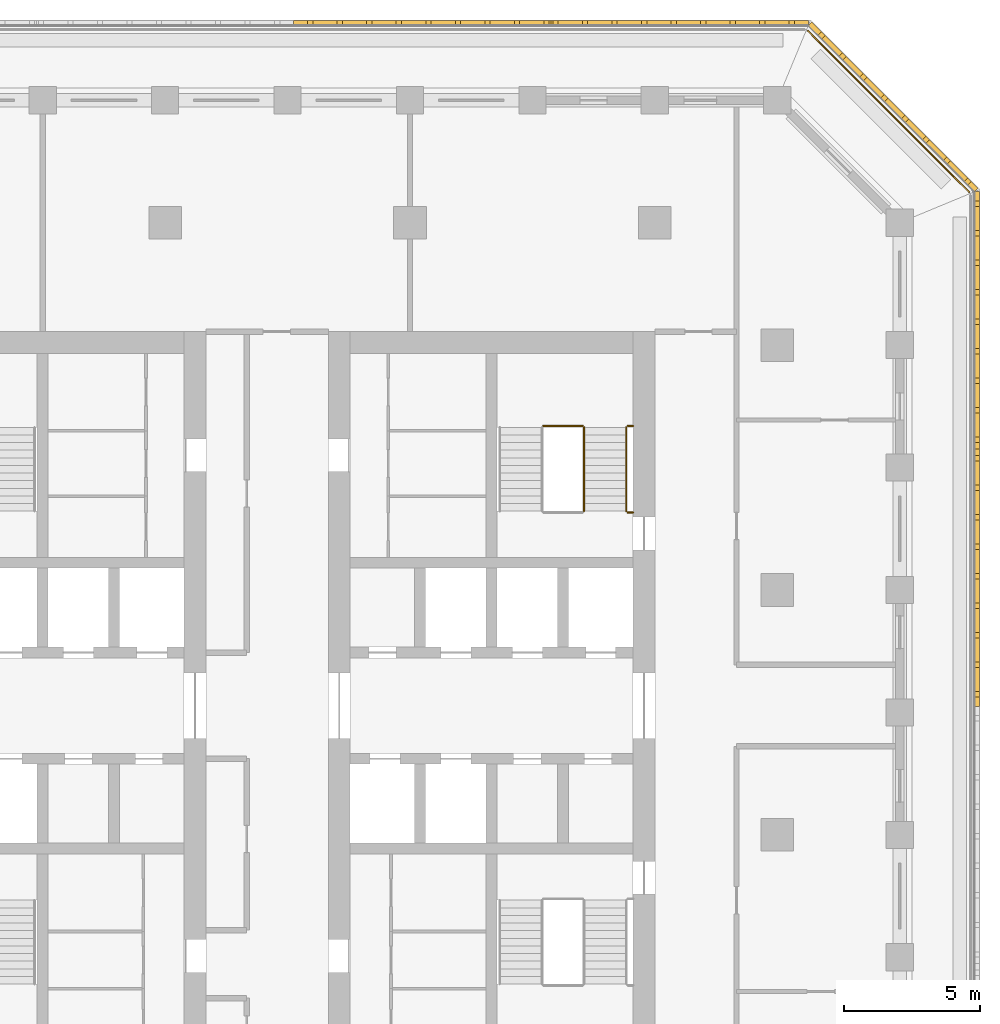
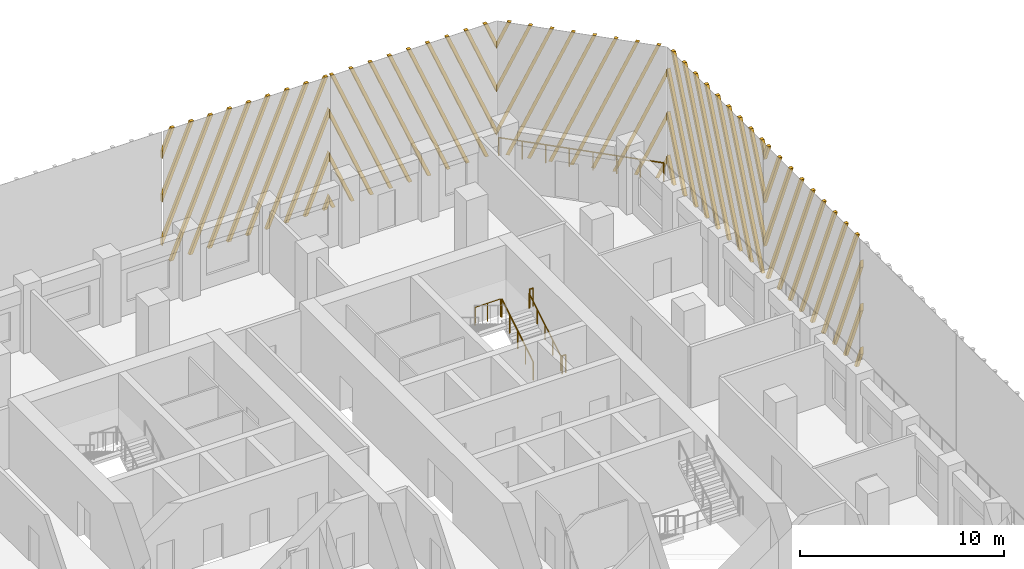
# One storey, part 15 of 16: 6 railings, 5 shading devices.
"""IFC4 building model written with IfcOpenShell, lengths in metres."""

from ifc_helpers import new_model, si_unit, direction, frame, origin, origin_2d, place, context, subcontext, project, spatial, polyline, circle, outline, extrude, source, transform, mapped, material, type_object, element, save


model = new_model("IFC4")

# Units and contexts
model_context = context("Model", 3, precision=1e-05, world=origin(), true_north=direction((0.0, 1.0)))
body_context = subcontext(model_context, "Body", "Model", "MODEL_VIEW")
ifc_project = project(units=[si_unit("LENGTHUNIT", "METRE"), si_unit("AREAUNIT", "SQUARE_METRE"), si_unit("VOLUMEUNIT", "CUBIC_METRE"), si_unit("PLANEANGLEUNIT", "RADIAN"), si_unit("MASSUNIT", "GRAM", prefix="KILO")], contexts=[model_context])

# Site, building, storey
site_placement = place(None, origin())
site = spatial("IfcSite", under=ifc_project, at=site_placement, CompositionType="ELEMENT")
building_placement = place(site_placement, origin())
building = spatial("IfcBuilding", under=site, at=building_placement, Name="Corbel Stack Research Tower", CompositionType="ELEMENT")
storey_placement = place(building_placement, frame((0.0, 0.0, 173.199951171875)))
storey = spatial("IfcBuildingStorey", under=building, at=storey_placement, Name="L39", CompositionType="ELEMENT", Elevation=173.199951171875)

# Railings
ifc_material_1 = material(Name="Steel S355", Category="steel")
railing_type_1 = type_object("IfcRailingType", Name="Stair guard 1100", PredefinedType="GUARDRAIL", material=ifc_material_1)
railing_1_placement = place(storey_placement, frame((15.39990234375, 11.89990234375, 0.1708984375)))
element("IfcRailing", 1, at=railing_1_placement, inside=storey, type_object=railing_type_1, Name="L39 ST-E2 stair guard 1", PredefinedType="GUARDRAIL", context=body_context, shape_type="SweptSolid", body=[
    extrude(circle(Radius=0.02392578125, at=origin_2d()), frame((0.0, 0.0, 1.076171875), z_axis=(0.0, 0.853666305674, 0.52082035152), x_axis=(-1.0, 0.0, 0.0)), (0.0, 0.0, 1.0), 3.608154296875),
    extrude(circle(Radius=0.02099609375, at=origin_2d()), origin(), (0.0, 0.0, 1.0), 1.052001953125),
    extrude(circle(Radius=0.02099609375, at=origin_2d()), frame((0.0, 0.77001953125, 0.4697265625)), (0.0, 0.0, 1.0), 1.052001953125),
    extrude(circle(Radius=0.02099609375, at=origin_2d()), frame((0.0, 1.5400390625, 0.939453125)), (0.0, 0.0, 1.0), 1.052001953125),
    extrude(circle(Radius=0.02099609375, at=origin_2d()), frame((0.0, 2.31005859375, 1.409423828125)), (0.0, 0.0, 1.0), 1.052001953125),
    extrude(circle(Radius=0.02099609375, at=origin_2d()), frame((0.0, 3.080078125, 1.879150390625)), (0.0, 0.0, 1.0), 1.052001953125),
])
railing_2_placement = place(storey_placement, frame((15.35009765625, 15.030029296875, 2.050048828125)))
element("IfcRailing", 2, at=railing_2_placement, inside=storey, type_object=railing_type_1, Name="L39 ST-E2 stair guard 2", PredefinedType="GUARDRAIL", context=body_context, shape_type="SweptSolid", body=[
    extrude(circle(Radius=0.02392578125, at=origin_2d()), frame((0.0, 0.0, 1.076171875), z_axis=(-1.0, 0.0, 0.0), x_axis=(0.0, -1.0, 0.0)), (0.0, 0.0, 1.0), 1.4501953125),
    extrude(circle(Radius=0.02099609375, at=origin_2d()), origin(), (0.0, 0.0, 1.0), 1.052001953125),
    extrude(circle(Radius=0.02099609375, at=origin_2d()), frame((-0.72509765625, 0.0, 0.0)), (0.0, 0.0, 1.0), 1.052001953125),
    extrude(circle(Radius=0.02099609375, at=origin_2d()), frame((-1.4501953125, 0.0, 0.0)), (0.0, 0.0, 1.0), 1.052001953125),
])
for number, where, name in (
    (3, (17.199951171875, 15.030029296875, 2.050048828125), "L39 ST-E2 stair guard 3"),
    (4, (17.199951171875, 11.85009765625, 0.0), "L39 ST-E2 stair guard 6"),
):
    element("IfcRailing", number, at=place(storey_placement, frame(where)), inside=storey, type_object=railing_type_1, Name=name, PredefinedType="GUARDRAIL", context=body_context, shape_type="SweptSolid", body=[
        extrude(circle(Radius=0.02392578125, at=origin_2d()), frame((0.0, 0.0, 1.076171875), z_axis=(-1.0, 0.0, 0.0), x_axis=(0.0, -1.0, 0.0)), (0.0, 0.0, 1.0), 0.199951171875),
        extrude(circle(Radius=0.02099609375, at=origin_2d()), origin(), (0.0, 0.0, 1.0), 1.052001953125),
        extrude(circle(Radius=0.02099609375, at=origin_2d()), frame((-0.199951171875, 0.0, 0.0)), (0.0, 0.0, 1.0), 1.052001953125),
    ])
ifc_material_2 = material(Name="Steel S355", Category="steel")
railing_type_2 = type_object("IfcRailingType", Name="Stair handrail 900", PredefinedType="HANDRAIL", material=ifc_material_2)
railing_3_placement = place(storey_placement, frame((16.949951171875, 11.89990234375, 0.1708984375)))
element("IfcRailing", 5, at=railing_3_placement, inside=storey, type_object=railing_type_2, Name="L39 ST-E2 stair handrail 1", PredefinedType="HANDRAIL", context=body_context, shape_type="SweptSolid", body=[
    extrude(circle(Radius=0.02392578125, at=origin_2d()), frame((0.0, 0.0, 0.8759765625), z_axis=(0.0, 0.853666305674, 0.52082035152), x_axis=(-1.0, 0.0, 0.0)), (0.0, 0.0, 1.0), 3.608154296875),
    extrude(circle(Radius=0.02099609375, at=origin_2d()), origin(), (0.0, 0.0, 1.0), 0.851806640625),
    extrude(circle(Radius=0.02099609375, at=origin_2d()), frame((0.0, 0.77001953125, 0.4697265625)), (0.0, 0.0, 1.0), 0.851806640625),
    extrude(circle(Radius=0.02099609375, at=origin_2d()), frame((0.0, 1.5400390625, 0.939453125)), (0.0, 0.0, 1.0), 0.851806640625),
    extrude(circle(Radius=0.02099609375, at=origin_2d()), frame((0.0, 2.31005859375, 1.409423828125)), (0.0, 0.0, 1.0), 0.851806640625),
    extrude(circle(Radius=0.02099609375, at=origin_2d()), frame((0.0, 3.080078125, 1.879150390625)), (0.0, 0.0, 1.0), 0.851806640625),
])
ifc_material_3 = material(Name="Powder-coated steel guard", Category="steel")
railing_type_3 = type_object("IfcRailingType", Name="Steel and glass guard 1100", PredefinedType="GUARDRAIL", material=ifc_material_3)
railing_4_placement = place(storey_placement, frame((29.54931640625, 23.627685546875, 0.0)))
element("IfcRailing", 6, at=railing_4_placement, inside=storey, type_object=railing_type_3, Name="Loggia guard L39 NE", PredefinedType="GUARDRAIL", context=body_context, shape_type="SweptSolid", body=[
    extrude(circle(Radius=0.02392578125, at=origin_2d()), frame((0.0, 0.0, 1.076171875), z_axis=(-0.707106781187, 0.707106781187, 0.0), x_axis=(-0.707106781187, -0.707106781187, 0.0)), (0.0, 0.0, 1.0), 8.37451171875),
    extrude(circle(Radius=0.02099609375, at=origin_2d()), origin(), (0.0, 0.0, 1.0), 1.052001953125),
    extrude(circle(Radius=0.02099609375, at=origin_2d()), frame((-0.845947265625, 0.845947265625, 0.0)), (0.0, 0.0, 1.0), 1.052001953125),
    extrude(circle(Radius=0.02099609375, at=origin_2d()), frame((-1.69189453125, 1.69189453125, 0.0)), (0.0, 0.0, 1.0), 1.052001953125),
    extrude(circle(Radius=0.02099609375, at=origin_2d()), frame((-2.537841796875, 2.537841796875, 0.0)), (0.0, 0.0, 1.0), 1.052001953125),
    extrude(circle(Radius=0.02099609375, at=origin_2d()), frame((-3.3837890625, 3.3837890625, 0.0)), (0.0, 0.0, 1.0), 1.052001953125),
    extrude(circle(Radius=0.02099609375, at=origin_2d()), frame((-4.229736328125, 4.229736328125, 0.0)), (0.0, 0.0, 1.0), 1.052001953125),
    extrude(circle(Radius=0.02099609375, at=origin_2d()), frame((-5.07568359375, 5.07568359375, 0.0)), (0.0, 0.0, 1.0), 1.052001953125),
    extrude(circle(Radius=0.02099609375, at=origin_2d()), frame((-5.921630859375, 5.921630859375, 0.0)), (0.0, 0.0, 1.0), 1.052001953125),
])

# Shading devices
ifc_material_4 = material(Name="Precast terracotta", Category="masonry")
shading_device_type = type_object("IfcShadingDeviceType", Name="Terracotta screen panel", PredefinedType="USERDEFINED", material=ifc_material_4)
shared_shape_1 = source(origin(), body_context, "Body", "SweptSolid", [
    extrude(outline(polyline([(0.432373046875, 7.949951171875), (0.2421875, 7.949951171875), (0.0, 7.36962890625), (0.0, 6.914794921875), (0.432373046875, 7.949951171875)])), frame((0.0, 0.0, 0.0), z_axis=(0.0, -1.0, 0.0), x_axis=(1.0, 0.0, 0.0)), (0.0, 0.0, 1.0), 0.179931640625),
    extrude(outline(polyline([(1.51708984375, 7.949951171875), (1.326904296875, 7.949951171875), (0.0, 4.7724609375), (0.0, 4.317626953125), (1.51708984375, 7.949951171875)])), frame((0.0, 0.0, 0.0), z_axis=(0.0, -1.0, 0.0), x_axis=(1.0, 0.0, 0.0)), (0.0, 0.0, 1.0), 0.179931640625),
    extrude(outline(polyline([(2.601806640625, 7.949951171875), (2.41162109375, 7.949951171875), (0.0, 2.17529296875), (0.0, 1.720458984375), (2.601806640625, 7.949951171875)])), frame((0.0, 0.0, 0.0), z_axis=(0.0, -1.0, 0.0), x_axis=(1.0, 0.0, 0.0)), (0.0, 0.0, 1.0), 0.179931640625),
    extrude(outline(polyline([(0.3662109375, 0.0), (3.686279296875, 7.949951171875), (3.496337890625, 7.949951171875), (0.17626953125, 0.0), (0.3662109375, 0.0)])), frame((0.0, 0.0, 0.0), z_axis=(0.0, -1.0, 0.0), x_axis=(1.0, 0.0, 0.0)), (0.0, 0.0, 1.0), 0.179931640625),
    extrude(outline(polyline([(1.45068359375, 0.0), (4.77099609375, 7.949951171875), (4.5810546875, 7.949951171875), (1.2607421875, 0.0), (1.45068359375, 0.0)])), frame((0.0, 0.0, 0.0), z_axis=(0.0, -1.0, 0.0), x_axis=(1.0, 0.0, 0.0)), (0.0, 0.0, 1.0), 0.179931640625),
    extrude(outline(polyline([(2.535400390625, 0.0), (5.855712890625, 7.949951171875), (5.665771484375, 7.949951171875), (2.345458984375, 0.0), (2.535400390625, 0.0)])), frame((0.0, 0.0, 0.0), z_axis=(0.0, -1.0, 0.0), x_axis=(1.0, 0.0, 0.0)), (0.0, 0.0, 1.0), 0.179931640625),
    extrude(outline(polyline([(3.6201171875, 0.0), (6.940185546875, 7.949951171875), (6.750244140625, 7.949951171875), (3.43017578125, 0.0), (3.6201171875, 0.0)])), frame((0.0, 0.0, 0.0), z_axis=(0.0, -1.0, 0.0), x_axis=(1.0, 0.0, 0.0)), (0.0, 0.0, 1.0), 0.179931640625),
    extrude(outline(polyline([(4.704833984375, 0.0), (8.02490234375, 7.949951171875), (7.8349609375, 7.949951171875), (4.514892578125, 0.0), (4.704833984375, 0.0)])), frame((0.0, 0.0, 0.0), z_axis=(0.0, -1.0, 0.0), x_axis=(1.0, 0.0, 0.0)), (0.0, 0.0, 1.0), 0.179931640625),
    extrude(outline(polyline([(5.78955078125, 0.0), (9.109619140625, 7.949951171875), (8.919677734375, 7.949951171875), (5.599609375, 0.0), (5.78955078125, 0.0)])), frame((0.0, 0.0, 0.0), z_axis=(0.0, -1.0, 0.0), x_axis=(1.0, 0.0, 0.0)), (0.0, 0.0, 1.0), 0.179931640625),
    extrude(outline(polyline([(6.874267578125, 0.0), (9.45556640625, 6.18115234375), (9.45556640625, 6.63623046875), (6.68408203125, 0.0), (6.874267578125, 0.0)])), frame((0.0, 0.0, 0.0), z_axis=(0.0, -1.0, 0.0), x_axis=(1.0, 0.0, 0.0)), (0.0, 0.0, 1.0), 0.179931640625),
    extrude(outline(polyline([(7.958740234375, 0.0), (9.45556640625, 3.583984375), (9.45556640625, 4.0390625), (7.768798828125, 0.0), (7.958740234375, 0.0)])), frame((0.0, 0.0, 0.0), z_axis=(0.0, -1.0, 0.0), x_axis=(1.0, 0.0, 0.0)), (0.0, 0.0, 1.0), 0.179931640625),
    extrude(outline(polyline([(9.04345703125, 0.0), (9.45556640625, 0.98681640625), (9.45556640625, 1.44189453125), (8.853515625, 0.0), (9.04345703125, 0.0)])), frame((0.0, 0.0, 0.0), z_axis=(0.0, -1.0, 0.0), x_axis=(1.0, 0.0, 0.0)), (0.0, 0.0, 1.0), 0.179931640625),
])
shading_device_1_placement = place(storey_placement, frame((29.75, 14.18359375, 0.0), z_axis=(0.0, 0.0, 1.0), x_axis=(0.0, 1.0, 0.0)))
element("IfcShadingDevice", 7, at=shading_device_1_placement, inside=storey, type_object=shading_device_type, Name="Terracotta screen L39 E5", ObjectType="SCREEN", PredefinedType="USERDEFINED", context=body_context, shape_type="MappedRepresentation", body=[
    mapped(shared_shape_1, transform((0.0, 0.0, 0.0))),
])
shared_shape_2 = source(origin(), body_context, "Body", "SweptSolid", [
    extrude(outline(polyline([(0.60205078125, 0.0), (0.0, 1.44189453125), (0.0, 0.98681640625), (0.412109375, 0.0), (0.60205078125, 0.0)])), frame((0.0, 0.0, 0.0), z_axis=(0.0, -1.0, 0.0), x_axis=(1.0, 0.0, 0.0)), (0.0, 0.0, 1.0), 0.179931640625),
    extrude(outline(polyline([(1.686767578125, 0.0), (0.0, 4.0390625), (0.0, 3.583984375), (1.496826171875, 0.0), (1.686767578125, 0.0)])), frame((0.0, 0.0, 0.0), z_axis=(0.0, -1.0, 0.0), x_axis=(1.0, 0.0, 0.0)), (0.0, 0.0, 1.0), 0.179931640625),
    extrude(outline(polyline([(2.771484375, 0.0), (0.0, 6.63623046875), (0.0, 6.18115234375), (2.58154296875, 0.0), (2.771484375, 0.0)])), frame((0.0, 0.0, 0.0), z_axis=(0.0, -1.0, 0.0), x_axis=(1.0, 0.0, 0.0)), (0.0, 0.0, 1.0), 0.179931640625),
    extrude(outline(polyline([(3.856201171875, 0.0), (0.535888671875, 7.949951171875), (0.345947265625, 7.949951171875), (3.666015625, 0.0), (3.856201171875, 0.0)])), frame((0.0, 0.0, 0.0), z_axis=(0.0, -1.0, 0.0), x_axis=(1.0, 0.0, 0.0)), (0.0, 0.0, 1.0), 0.179931640625),
    extrude(outline(polyline([(4.94091796875, 0.0), (1.62060546875, 7.949951171875), (1.4306640625, 7.949951171875), (4.750732421875, 0.0), (4.94091796875, 0.0)])), frame((0.0, 0.0, 0.0), z_axis=(0.0, -1.0, 0.0), x_axis=(1.0, 0.0, 0.0)), (0.0, 0.0, 1.0), 0.179931640625),
    extrude(outline(polyline([(6.025390625, 0.0), (2.705322265625, 7.949951171875), (2.515380859375, 7.949951171875), (5.83544921875, 0.0), (6.025390625, 0.0)])), frame((0.0, 0.0, 0.0), z_axis=(0.0, -1.0, 0.0), x_axis=(1.0, 0.0, 0.0)), (0.0, 0.0, 1.0), 0.179931640625),
    extrude(outline(polyline([(7.110107421875, 0.0), (3.7900390625, 7.949951171875), (3.60009765625, 7.949951171875), (6.920166015625, 0.0), (7.110107421875, 0.0)])), frame((0.0, 0.0, 0.0), z_axis=(0.0, -1.0, 0.0), x_axis=(1.0, 0.0, 0.0)), (0.0, 0.0, 1.0), 0.179931640625),
    extrude(outline(polyline([(8.19482421875, 0.0), (4.87451171875, 7.949951171875), (4.6845703125, 7.949951171875), (8.0048828125, 0.0), (8.19482421875, 0.0)])), frame((0.0, 0.0, 0.0), z_axis=(0.0, -1.0, 0.0), x_axis=(1.0, 0.0, 0.0)), (0.0, 0.0, 1.0), 0.179931640625),
    extrude(outline(polyline([(9.279541015625, 0.0), (5.959228515625, 7.949951171875), (5.769287109375, 7.949951171875), (9.089599609375, 0.0), (9.279541015625, 0.0)])), frame((0.0, 0.0, 0.0), z_axis=(0.0, -1.0, 0.0), x_axis=(1.0, 0.0, 0.0)), (0.0, 0.0, 1.0), 0.179931640625),
    extrude(outline(polyline([(7.0439453125, 7.949951171875), (6.85400390625, 7.949951171875), (9.45556640625, 1.720458984375), (9.45556640625, 2.17529296875), (7.0439453125, 7.949951171875)])), frame((0.0, 0.0, 0.0), z_axis=(0.0, -1.0, 0.0), x_axis=(1.0, 0.0, 0.0)), (0.0, 0.0, 1.0), 0.179931640625),
    extrude(outline(polyline([(8.128662109375, 7.949951171875), (7.938720703125, 7.949951171875), (9.45556640625, 4.317626953125), (9.45556640625, 4.7724609375), (8.128662109375, 7.949951171875)])), frame((0.0, 0.0, 0.0), z_axis=(0.0, -1.0, 0.0), x_axis=(1.0, 0.0, 0.0)), (0.0, 0.0, 1.0), 0.179931640625),
    extrude(outline(polyline([(9.21337890625, 7.949951171875), (9.023193359375, 7.949951171875), (9.45556640625, 6.914794921875), (9.45556640625, 7.36962890625), (9.21337890625, 7.949951171875)])), frame((0.0, 0.0, 0.0), z_axis=(0.0, -1.0, 0.0), x_axis=(1.0, 0.0, 0.0)), (0.0, 0.0, 1.0), 0.179931640625),
])
shading_device_2_placement = place(storey_placement, frame((29.75, 4.727783203125, 0.0), z_axis=(0.0, 0.0, 1.0), x_axis=(0.0, 1.0, 0.0)))
element("IfcShadingDevice", 8, at=shading_device_2_placement, inside=storey, type_object=shading_device_type, Name="Terracotta screen L39 E4", ObjectType="SCREEN", PredefinedType="USERDEFINED", context=body_context, shape_type="MappedRepresentation", body=[
    mapped(shared_shape_2, transform((0.0, 0.0, 0.0))),
])
shared_shape_3 = source(origin(), body_context, "Body", "SweptSolid", [
    extrude(outline(polyline([(0.60205078125, 0.0), (0.0, 1.44189453125), (0.0, 0.98681640625), (0.412109375, 0.0), (0.60205078125, 0.0)])), frame((0.0, 0.0, 0.0), z_axis=(0.0, -1.0, 0.0), x_axis=(1.0, 0.0, 0.0)), (0.0, 0.0, 1.0), 0.179931640625),
    extrude(outline(polyline([(1.686767578125, 0.0), (0.0, 4.0390625), (0.0, 3.583984375), (1.496826171875, 0.0), (1.686767578125, 0.0)])), frame((0.0, 0.0, 0.0), z_axis=(0.0, -1.0, 0.0), x_axis=(1.0, 0.0, 0.0)), (0.0, 0.0, 1.0), 0.179931640625),
    extrude(outline(polyline([(2.771484375, 0.0), (0.0, 6.63623046875), (0.0, 6.18115234375), (2.58154296875, 0.0), (2.771484375, 0.0)])), frame((0.0, 0.0, 0.0), z_axis=(0.0, -1.0, 0.0), x_axis=(1.0, 0.0, 0.0)), (0.0, 0.0, 1.0), 0.179931640625),
    extrude(outline(polyline([(3.856201171875, 0.0), (0.535888671875, 7.949951171875), (0.345947265625, 7.949951171875), (3.666015625, 0.0), (3.856201171875, 0.0)])), frame((0.0, 0.0, 0.0), z_axis=(0.0, -1.0, 0.0), x_axis=(1.0, 0.0, 0.0)), (0.0, 0.0, 1.0), 0.179931640625),
    extrude(outline(polyline([(4.94091796875, 0.0), (1.62060546875, 7.949951171875), (1.4306640625, 7.949951171875), (4.750732421875, 0.0), (4.94091796875, 0.0)])), frame((0.0, 0.0, 0.0), z_axis=(0.0, -1.0, 0.0), x_axis=(1.0, 0.0, 0.0)), (0.0, 0.0, 1.0), 0.179931640625),
    extrude(outline(polyline([(6.025390625, 0.0), (2.705322265625, 7.949951171875), (2.515380859375, 7.949951171875), (5.83544921875, 0.0), (6.025390625, 0.0)])), frame((0.0, 0.0, 0.0), z_axis=(0.0, -1.0, 0.0), x_axis=(1.0, 0.0, 0.0)), (0.0, 0.0, 1.0), 0.179931640625),
    extrude(outline(polyline([(7.110107421875, 0.0), (3.7900390625, 7.949951171875), (3.60009765625, 7.949951171875), (6.920166015625, 0.0), (7.110107421875, 0.0)])), frame((0.0, 0.0, 0.0), z_axis=(0.0, -1.0, 0.0), x_axis=(1.0, 0.0, 0.0)), (0.0, 0.0, 1.0), 0.179931640625),
    extrude(outline(polyline([(8.19482421875, 0.0), (4.87451171875, 7.949951171875), (4.6845703125, 7.949951171875), (8.0048828125, 0.0), (8.19482421875, 0.0)])), frame((0.0, 0.0, 0.0), z_axis=(0.0, -1.0, 0.0), x_axis=(1.0, 0.0, 0.0)), (0.0, 0.0, 1.0), 0.179931640625),
    extrude(outline(polyline([(5.959228515625, 7.949951171875), (5.769287109375, 7.949951171875), (8.64208984375, 1.071044921875), (8.64208984375, 1.526123046875), (5.959228515625, 7.949951171875)])), frame((0.0, 0.0, 0.0), z_axis=(0.0, -1.0, 0.0), x_axis=(1.0, 0.0, 0.0)), (0.0, 0.0, 1.0), 0.179931640625),
    extrude(outline(polyline([(7.0439453125, 7.949951171875), (6.85400390625, 7.949951171875), (8.64208984375, 3.668212890625), (8.64208984375, 4.123291015625), (7.0439453125, 7.949951171875)])), frame((0.0, 0.0, 0.0), z_axis=(0.0, -1.0, 0.0), x_axis=(1.0, 0.0, 0.0)), (0.0, 0.0, 1.0), 0.179931640625),
    extrude(outline(polyline([(8.128662109375, 7.949951171875), (7.938720703125, 7.949951171875), (8.64208984375, 6.265380859375), (8.64208984375, 6.720458984375), (8.128662109375, 7.949951171875)])), frame((0.0, 0.0, 0.0), z_axis=(0.0, -1.0, 0.0), x_axis=(1.0, 0.0, 0.0)), (0.0, 0.0, 1.0), 0.179931640625),
])
shading_device_3_placement = place(storey_placement, frame((29.75, 23.63916015625, 0.0), z_axis=(0.0, 0.0, 1.0), x_axis=(-0.707106781187, 0.707106781187, 0.0)))
element("IfcShadingDevice", 9, at=shading_device_3_placement, inside=storey, type_object=shading_device_type, Name="Terracotta screen L39 NE1", ObjectType="SCREEN", PredefinedType="USERDEFINED", context=body_context, shape_type="MappedRepresentation", body=[
    mapped(shared_shape_3, transform((0.0, 0.0, 0.0))),
])
shared_shape_4 = source(origin(), body_context, "Body", "SweptSolid", [
    extrude(outline(polyline([(0.70361328125, 7.949951171875), (0.513427734375, 7.949951171875), (0.0, 6.720458984375), (0.0, 6.265380859375), (0.70361328125, 7.949951171875)])), frame((0.0, 0.0, 0.0), z_axis=(0.0, -1.0, 0.0), x_axis=(1.0, 0.0, 0.0)), (0.0, 0.0, 1.0), 0.179931640625),
    extrude(outline(polyline([(1.7880859375, 7.949951171875), (1.59814453125, 7.949951171875), (0.0, 4.123291015625), (0.0, 3.668212890625), (1.7880859375, 7.949951171875)])), frame((0.0, 0.0, 0.0), z_axis=(0.0, -1.0, 0.0), x_axis=(1.0, 0.0, 0.0)), (0.0, 0.0, 1.0), 0.179931640625),
    extrude(outline(polyline([(2.872802734375, 7.949951171875), (2.682861328125, 7.949951171875), (0.0, 1.526123046875), (0.0, 1.071044921875), (2.872802734375, 7.949951171875)])), frame((0.0, 0.0, 0.0), z_axis=(0.0, -1.0, 0.0), x_axis=(1.0, 0.0, 0.0)), (0.0, 0.0, 1.0), 0.179931640625),
    extrude(outline(polyline([(0.63720703125, 0.0), (3.95751953125, 7.949951171875), (3.767578125, 7.949951171875), (0.447265625, 0.0), (0.63720703125, 0.0)])), frame((0.0, 0.0, 0.0), z_axis=(0.0, -1.0, 0.0), x_axis=(1.0, 0.0, 0.0)), (0.0, 0.0, 1.0), 0.179931640625),
    extrude(outline(polyline([(1.721923828125, 0.0), (5.042236328125, 7.949951171875), (4.852294921875, 7.949951171875), (1.531982421875, 0.0), (1.721923828125, 0.0)])), frame((0.0, 0.0, 0.0), z_axis=(0.0, -1.0, 0.0), x_axis=(1.0, 0.0, 0.0)), (0.0, 0.0, 1.0), 0.179931640625),
    extrude(outline(polyline([(2.806640625, 0.0), (6.126708984375, 7.949951171875), (5.936767578125, 7.949951171875), (2.61669921875, 0.0), (2.806640625, 0.0)])), frame((0.0, 0.0, 0.0), z_axis=(0.0, -1.0, 0.0), x_axis=(1.0, 0.0, 0.0)), (0.0, 0.0, 1.0), 0.179931640625),
    extrude(outline(polyline([(3.891357421875, 0.0), (7.21142578125, 7.949951171875), (7.021484375, 7.949951171875), (3.701416015625, 0.0), (3.891357421875, 0.0)])), frame((0.0, 0.0, 0.0), z_axis=(0.0, -1.0, 0.0), x_axis=(1.0, 0.0, 0.0)), (0.0, 0.0, 1.0), 0.179931640625),
    extrude(outline(polyline([(4.97607421875, 0.0), (8.296142578125, 7.949951171875), (8.106201171875, 7.949951171875), (4.785888671875, 0.0), (4.97607421875, 0.0)])), frame((0.0, 0.0, 0.0), z_axis=(0.0, -1.0, 0.0), x_axis=(1.0, 0.0, 0.0)), (0.0, 0.0, 1.0), 0.179931640625),
    extrude(outline(polyline([(6.060791015625, 0.0), (9.380859375, 7.949951171875), (9.19091796875, 7.949951171875), (5.87060546875, 0.0), (6.060791015625, 0.0)])), frame((0.0, 0.0, 0.0), z_axis=(0.0, -1.0, 0.0), x_axis=(1.0, 0.0, 0.0)), (0.0, 0.0, 1.0), 0.179931640625),
    extrude(outline(polyline([(7.145263671875, 0.0), (9.45556640625, 5.531982421875), (9.45556640625, 5.98681640625), (6.955322265625, 0.0), (7.145263671875, 0.0)])), frame((0.0, 0.0, 0.0), z_axis=(0.0, -1.0, 0.0), x_axis=(1.0, 0.0, 0.0)), (0.0, 0.0, 1.0), 0.179931640625),
    extrude(outline(polyline([(8.22998046875, 0.0), (9.45556640625, 2.934814453125), (9.45556640625, 3.3896484375), (8.0400390625, 0.0), (8.22998046875, 0.0)])), frame((0.0, 0.0, 0.0), z_axis=(0.0, -1.0, 0.0), x_axis=(1.0, 0.0, 0.0)), (0.0, 0.0, 1.0), 0.179931640625),
    extrude(outline(polyline([(9.314697265625, 0.0), (9.45556640625, 0.337646484375), (9.45556640625, 0.79248046875), (9.124755859375, 0.0), (9.314697265625, 0.0)])), frame((0.0, 0.0, 0.0), z_axis=(0.0, -1.0, 0.0), x_axis=(1.0, 0.0, 0.0)), (0.0, 0.0, 1.0), 0.179931640625),
])
shading_device_4_placement = place(storey_placement, frame((23.63916015625, 29.75, 0.0), z_axis=(0.0, 0.0, 1.0), x_axis=(-1.0, 0.0, 0.0)))
element("IfcShadingDevice", 10, at=shading_device_4_placement, inside=storey, type_object=shading_device_type, Name="Terracotta screen L39 N1", ObjectType="SCREEN", PredefinedType="USERDEFINED", context=body_context, shape_type="MappedRepresentation", body=[
    mapped(shared_shape_4, transform((0.0, 0.0, 0.0))),
])
shared_shape_5 = source(origin(), body_context, "Body", "SweptSolid", [
    extrude(outline(polyline([(0.3310546875, 0.0), (0.0, 0.79248046875), (0.0, 0.337646484375), (0.14111328125, 0.0), (0.3310546875, 0.0)])), frame((0.0, 0.0, 0.0), z_axis=(0.0, -1.0, 0.0), x_axis=(1.0, 0.0, 0.0)), (0.0, 0.0, 1.0), 0.179931640625),
    extrude(outline(polyline([(1.41552734375, 0.0), (0.0, 3.3896484375), (0.0, 2.934814453125), (1.2255859375, 0.0), (1.41552734375, 0.0)])), frame((0.0, 0.0, 0.0), z_axis=(0.0, -1.0, 0.0), x_axis=(1.0, 0.0, 0.0)), (0.0, 0.0, 1.0), 0.179931640625),
    extrude(outline(polyline([(2.500244140625, 0.0), (0.0, 5.98681640625), (0.0, 5.531982421875), (2.310302734375, 0.0), (2.500244140625, 0.0)])), frame((0.0, 0.0, 0.0), z_axis=(0.0, -1.0, 0.0), x_axis=(1.0, 0.0, 0.0)), (0.0, 0.0, 1.0), 0.179931640625),
    extrude(outline(polyline([(3.5849609375, 0.0), (0.264892578125, 7.949951171875), (0.07470703125, 7.949951171875), (3.39501953125, 0.0), (3.5849609375, 0.0)])), frame((0.0, 0.0, 0.0), z_axis=(0.0, -1.0, 0.0), x_axis=(1.0, 0.0, 0.0)), (0.0, 0.0, 1.0), 0.179931640625),
    extrude(outline(polyline([(4.669677734375, 0.0), (1.349609375, 7.949951171875), (1.159423828125, 7.949951171875), (4.4794921875, 0.0), (4.669677734375, 0.0)])), frame((0.0, 0.0, 0.0), z_axis=(0.0, -1.0, 0.0), x_axis=(1.0, 0.0, 0.0)), (0.0, 0.0, 1.0), 0.179931640625),
    extrude(outline(polyline([(5.75439453125, 0.0), (2.43408203125, 7.949951171875), (2.244140625, 7.949951171875), (5.564208984375, 0.0), (5.75439453125, 0.0)])), frame((0.0, 0.0, 0.0), z_axis=(0.0, -1.0, 0.0), x_axis=(1.0, 0.0, 0.0)), (0.0, 0.0, 1.0), 0.179931640625),
    extrude(outline(polyline([(6.839111328125, 0.0), (3.518798828125, 7.949951171875), (3.328857421875, 7.949951171875), (6.64892578125, 0.0), (6.839111328125, 0.0)])), frame((0.0, 0.0, 0.0), z_axis=(0.0, -1.0, 0.0), x_axis=(1.0, 0.0, 0.0)), (0.0, 0.0, 1.0), 0.179931640625),
    extrude(outline(polyline([(7.923583984375, 0.0), (4.603515625, 7.949951171875), (4.41357421875, 7.949951171875), (7.733642578125, 0.0), (7.923583984375, 0.0)])), frame((0.0, 0.0, 0.0), z_axis=(0.0, -1.0, 0.0), x_axis=(1.0, 0.0, 0.0)), (0.0, 0.0, 1.0), 0.179931640625),
    extrude(outline(polyline([(9.00830078125, 0.0), (5.68798828125, 7.949951171875), (5.498046875, 7.949951171875), (8.818359375, 0.0), (9.00830078125, 0.0)])), frame((0.0, 0.0, 0.0), z_axis=(0.0, -1.0, 0.0), x_axis=(1.0, 0.0, 0.0)), (0.0, 0.0, 1.0), 0.179931640625),
    extrude(outline(polyline([(6.772705078125, 7.949951171875), (6.582763671875, 7.949951171875), (9.45556640625, 1.071044921875), (9.45556640625, 1.526123046875), (6.772705078125, 7.949951171875)])), frame((0.0, 0.0, 0.0), z_axis=(0.0, -1.0, 0.0), x_axis=(1.0, 0.0, 0.0)), (0.0, 0.0, 1.0), 0.179931640625),
    extrude(outline(polyline([(7.857421875, 7.949951171875), (7.66748046875, 7.949951171875), (9.45556640625, 3.668212890625), (9.45556640625, 4.123291015625), (7.857421875, 7.949951171875)])), frame((0.0, 0.0, 0.0), z_axis=(0.0, -1.0, 0.0), x_axis=(1.0, 0.0, 0.0)), (0.0, 0.0, 1.0), 0.179931640625),
    extrude(outline(polyline([(8.942138671875, 7.949951171875), (8.752197265625, 7.949951171875), (9.45556640625, 6.265380859375), (9.45556640625, 6.720458984375), (8.942138671875, 7.949951171875)])), frame((0.0, 0.0, 0.0), z_axis=(0.0, -1.0, 0.0), x_axis=(1.0, 0.0, 0.0)), (0.0, 0.0, 1.0), 0.179931640625),
])
shading_device_5_placement = place(storey_placement, frame((14.18359375, 29.75, 0.0), z_axis=(0.0, 0.0, 1.0), x_axis=(-1.0, 0.0, 0.0)))
element("IfcShadingDevice", 11, at=shading_device_5_placement, inside=storey, type_object=shading_device_type, Name="Terracotta screen L39 N2", ObjectType="SCREEN", PredefinedType="USERDEFINED", context=body_context, shape_type="MappedRepresentation", body=[
    mapped(shared_shape_5, transform((0.0, 0.0, 0.0))),
])

save(model, "model.ifc")
